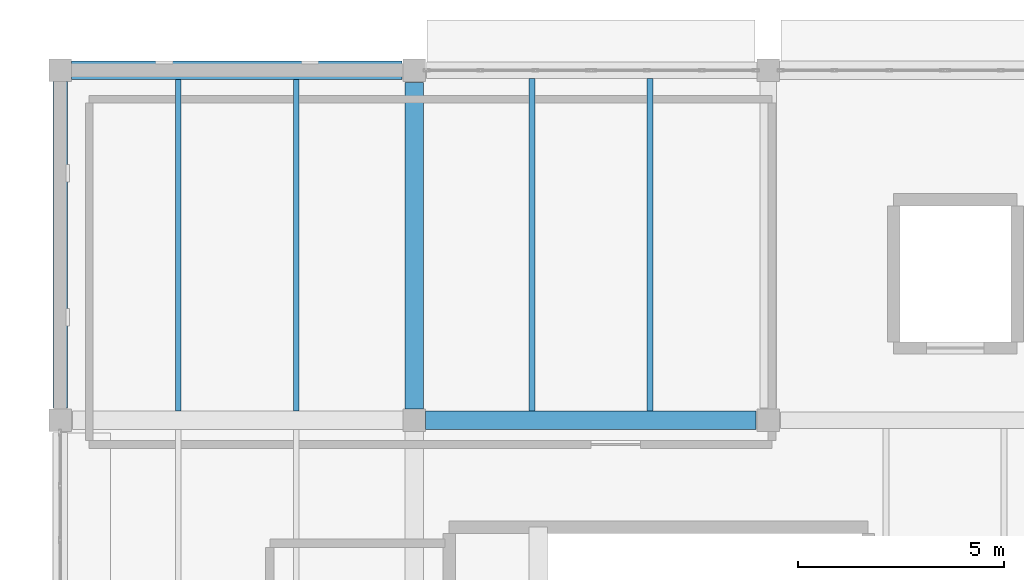
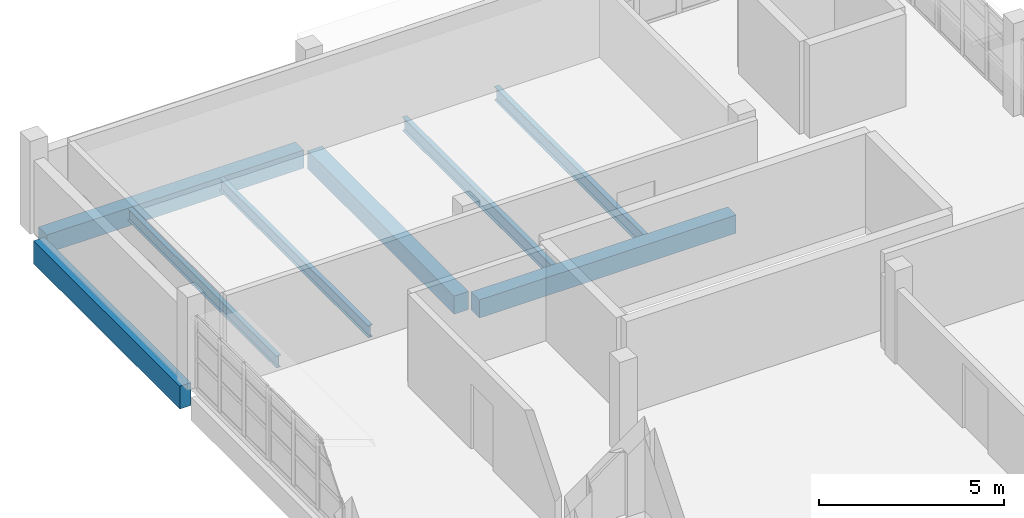
# One storey, part 13 of 34: 8 beams.
"""IFC4 building model written with IfcOpenShell, lengths in metres."""

import ifcopenshell
import ifcopenshell.guid

model = None  # the IFC model being written
_history = None  # IfcOwnerHistory: only IFC2X3 demands one
_inside = {}  # id of a spatial element -> (the spatial element, [elements in it])
_under = {}  # id of a project, library or spatial element -> (it, [spatial elements below it])
_declared = {}  # id of a project -> (the project, [libraries it declares])
_typed = {}  # id of a type object -> (the type object, [elements of that type])
_made_of = {}  # id of a material, layer set ... -> (it, [elements and type objects made of it])


def new_model(schema):
    """Start an empty IFC model of exactly this schema.

    Asked for "IFC4X3", IfcOpenShell would pick the latest addendum, in which some entities
    have other attributes; the version numbers below select the first issue.
    IFC2X3 requires an IfcOwnerHistory on every rooted entity: one is made here for all.
    """
    global model, _history
    if schema == "IFC4X3":
        model = ifcopenshell.file(schema_version=(4, 3, 0, 0))
    else:
        model = ifcopenshell.file(schema=schema)
    _inside.clear()
    _under.clear()
    _declared.clear()
    _typed.clear()
    _made_of.clear()
    _history = None
    if model.schema == "IFC2X3":
        org = make("IfcOrganization", Name="unknown")
        user = make(
            "IfcPersonAndOrganization",
            ThePerson=make("IfcPerson", FamilyName="unknown"),
            TheOrganization=org,
        )
        app = make(
            "IfcApplication",
            ApplicationDeveloper=org,
            Version="unknown",
            ApplicationFullName="unknown",
            ApplicationIdentifier="unknown",
        )
        _history = make(
            "IfcOwnerHistory",
            OwningUser=user,
            OwningApplication=app,
            ChangeAction="ADDED",
            CreationDate=0,
        )
    return model


def make(cls, **values):
    """One entity of the class cls with the attributes given. An attribute that is None is left unset."""
    return model.create_entity(
        cls, **{name: value for name, value in values.items() if value is not None}
    )


def rooted(cls, **values):
    """An entity with a GlobalId (a new one), such as an element, a storey or a relation."""
    return make(cls, GlobalId=ifcopenshell.guid.new(), OwnerHistory=_history, **values)


def si_unit(unit_type, name, prefix=None):
    """IfcSIUnit, for example si_unit("LENGTHUNIT", "METRE", prefix="MILLI")."""
    return make("IfcSIUnit", UnitType=unit_type, Prefix=prefix, Name=name)


def assignment(units):
    """IfcUnitAssignment: the units of a project."""
    return None if units is None else make("IfcUnitAssignment", Units=units)


def point(xyz):
    """IfcCartesianPoint."""
    return None if xyz is None else make("IfcCartesianPoint", Coordinates=xyz)


def direction(xyz):
    """IfcDirection."""
    return None if xyz is None else make("IfcDirection", DirectionRatios=xyz)


def frame(location, z_axis=None, x_axis=None):
    """IfcAxis2Placement3D, a coordinate frame: its origin and axes. An axis left out is left unset."""
    return make(
        "IfcAxis2Placement3D",
        Location=point(location),
        Axis=direction(z_axis),
        RefDirection=direction(x_axis),
    )


def frame_2d(location, x_axis=None):
    """IfcAxis2Placement2D, a coordinate frame in the plane: its origin and x axis."""
    return make(
        "IfcAxis2Placement2D", Location=point(location), RefDirection=direction(x_axis)
    )


def origin():
    """The frame at (0, 0, 0) with its axes left unset."""
    return frame((0.0, 0.0, 0.0))


def origin_2d():
    """The frame at (0, 0) in the plane with its x axis left unset."""
    return frame_2d((0.0, 0.0))


def place(relative_to, where):
    """IfcLocalPlacement: puts the frame where relative to a parent placement (None: the world)."""
    return make(
        "IfcLocalPlacement", PlacementRelTo=relative_to, RelativePlacement=where
    )


def context(
    kind, dimensions, precision=None, world=None, true_north=None, identifier=None
):
    """IfcGeometricRepresentationContext, for example the 3D "Model" context."""
    return make(
        "IfcGeometricRepresentationContext",
        ContextIdentifier=identifier,
        ContextType=kind,
        CoordinateSpaceDimension=dimensions,
        Precision=precision,
        WorldCoordinateSystem=world,
        TrueNorth=true_north,
    )


def subcontext(parent, identifier, kind, view, scale=None):
    """IfcGeometricRepresentationSubContext, for example "Body" below "Model"."""
    return make(
        "IfcGeometricRepresentationSubContext",
        ContextIdentifier=identifier,
        ContextType=kind,
        ParentContext=parent,
        TargetScale=scale,
        TargetView=view,
    )


def project(units=None, contexts=None):
    """IfcProject with its units and contexts."""
    return rooted(
        "IfcProject",
        Name="project",
        RepresentationContexts=contexts,
        UnitsInContext=assignment(units),
    )


def spatial(cls, under=None, at=None, **own):
    """A site, building, storey or space (cls), placed at a placement, below another one or the project."""
    s = rooted(cls, ObjectPlacement=at, **own)
    if under is not None:
        _under.setdefault(under.id(), (under, []))[1].append(s)
    return s


def profile(cls, at=None, kind="AREA", **sizes):
    """A parametric profile (cls). Its sizes go by their IFC names, for example OverallWidth=200.0."""
    return make(cls, ProfileType=kind, Position=at, **sizes)


def rectangle(**sizes):
    """IfcRectangleProfileDef."""
    return profile("IfcRectangleProfileDef", **sizes)


def i_section(**sizes):
    """IfcIShapeProfileDef."""
    return profile("IfcIShapeProfileDef", **sizes)


def extrude(swept, where, along, depth):
    """IfcExtrudedAreaSolid: the profile swept, set in the frame where, extruded along a direction by depth."""
    return make(
        "IfcExtrudedAreaSolid",
        SweptArea=swept,
        Position=where,
        ExtrudedDirection=direction(along),
        Depth=depth,
    )


def shape(context_of_items, identifier, shape_type, items):
    """IfcShapeRepresentation: the items that make up one representation, for example the "Body"."""
    return make(
        "IfcShapeRepresentation",
        ContextOfItems=context_of_items,
        RepresentationIdentifier=identifier,
        RepresentationType=shape_type,
        Items=items,
    )


def material(Name=None, Category=None):
    """IfcMaterial."""
    return make("IfcMaterial", Name=Name, Category=Category)


def material_profile(
    of_material, cross_section, Name=None, Category=None, Priority=None
):
    """IfcMaterialProfile: a cross section and its material."""
    return make(
        "IfcMaterialProfile",
        Name=Name,
        Material=of_material,
        Profile=cross_section,
        Priority=Priority,
        Category=Category,
    )


def profile_set(profiles, Name=None, composite=None):
    """IfcMaterialProfileSet."""
    return make(
        "IfcMaterialProfileSet",
        Name=Name,
        MaterialProfiles=profiles,
        CompositeProfile=composite,
    )


def made_of(thing, what):
    """Note that an element or type object is made of a material, layer set ...; save() writes the relation."""
    if what is not None:
        _made_of.setdefault(what.id(), (what, []))[1].append(thing)
    return thing


def type_object(cls, material=None, **own):
    """A type object (cls), such as IfcWallType, which elements share."""
    return made_of(rooted(cls, **own), material)


def element(
    cls,
    number,
    at=None,
    inside=None,
    cuts=None,
    type_object=None,
    material=None,
    context=None,
    identifier="Body",
    shape_type=None,
    held_by="IfcProductDefinitionShape",
    body=None,
    shapes=None,
    **own,
):
    """One element of the class cls, such as IfcWall. Its Tag is "e" and its number.

    at: its placement. inside: the storey or other place that contains it. cuts: it is an
    opening in that element (IfcRelVoidsElement). A single representation is given by context,
    identifier, shape_type and body (its items); several are given by shapes. held_by: the class
    of the entity that holds the representations. save() writes the other relations.
    """
    e = rooted(cls, Tag="e%d" % number, ObjectPlacement=at, **own)
    if body is not None:
        shapes = [shape(context, identifier, shape_type, body)]
    if shapes is not None:
        e.Representation = make(held_by, Representations=shapes)
    if inside is not None:
        _inside.setdefault(inside.id(), (inside, []))[1].append(e)
    if cuts is not None:
        rooted(
            "IfcRelVoidsElement", RelatingBuildingElement=cuts, RelatedOpeningElement=e
        )
    if type_object is not None:
        _typed.setdefault(type_object.id(), (type_object, []))[1].append(e)
    return made_of(e, material)


def aggregate(whole, parts):
    """IfcRelAggregates: a whole, such as a stair, and the parts it consists of."""
    return rooted("IfcRelAggregates", RelatingObject=whole, RelatedObjects=parts)


def save(model, path):
    """Write the relations noted so far, then the file.

    IfcRelAggregates (storeys below a building ...), IfcRelContainedInSpatialStructure (elements
    in a storey), IfcRelDefinesByType, IfcRelAssociatesMaterial and IfcRelDeclares: one each for
    every whole, place, type object, material and project.
    """
    for whole, parts in _under.values():
        aggregate(whole, parts)
    for where, things in _inside.values():
        rooted(
            "IfcRelContainedInSpatialStructure",
            RelatedElements=things,
            RelatingStructure=where,
        )
    for kind, things in _typed.values():
        rooted("IfcRelDefinesByType", RelatedObjects=things, RelatingType=kind)
    for what, things in _made_of.values():
        rooted("IfcRelAssociatesMaterial", RelatedObjects=things, RelatingMaterial=what)
    for by, libraries in _declared.values():
        rooted("IfcRelDeclares", RelatingContext=by, RelatedDefinitions=libraries)
    model.write(path)


model = new_model("IFC4")

# Units and contexts
model_context = context("Model", 3, precision=1e-05, world=origin(), true_north=direction((0.0, 1.0)))
body_context = subcontext(model_context, "Body", "Model", "MODEL_VIEW")
ifc_project = project(units=[si_unit("LENGTHUNIT", "METRE"), si_unit("AREAUNIT", "SQUARE_METRE"), si_unit("VOLUMEUNIT", "CUBIC_METRE"), si_unit("PLANEANGLEUNIT", "RADIAN"), si_unit("MASSUNIT", "GRAM", prefix="KILO")], contexts=[model_context])

# Site, building, storey
site_placement = place(None, origin())
site = spatial("IfcSite", under=ifc_project, at=site_placement, CompositionType="ELEMENT")
building_placement = place(site_placement, origin())
building = spatial("IfcBuilding", under=site, at=building_placement, Name="Varnakota Cinema and Media Centre", CompositionType="ELEMENT")
storey_placement = place(building_placement, frame((0.0, 0.0, 19.050048828125)))
storey = spatial("IfcBuildingStorey", under=building, at=storey_placement, Name="L05", CompositionType="ELEMENT", Elevation=19.050048828125)

# Beams
ifc_material_1 = material(Name="Concrete M35", Category="concrete")
ifc_material_profile_1 = material_profile(ifc_material_1, rectangle(XDim=0.449951171875, YDim=0.60009765625, at=origin_2d()), Name="RCB 450x600")
ifc_profile_set_1 = profile_set([ifc_material_profile_1], Name="Concrete M35")
beam_type_1 = type_object("IfcBeamType", Name="BM-RC-450x600", PredefinedType="BEAM", material=ifc_profile_set_1)
beam_1_placement = place(storey_placement, frame((8.875, 52.5, -0.550048828125), z_axis=(1.0, 0.0, 0.0), x_axis=(0.0, 1.0, 0.0)))
element("IfcBeam", 1, at=beam_1_placement, inside=storey, type_object=beam_type_1, Name="L05 girder B-C/7", PredefinedType="BEAM", context=body_context, shape_type="SweptSolid", body=[
    extrude(rectangle(XDim=0.449951171875, YDim=0.60009765625, at=origin_2d()), origin(), (0.0, 0.0, 1.0), 8.02490234375),
])
beam_2_placement = place(storey_placement, frame((0.27490234375, 61.0, -0.550048828125), z_axis=(1.0, 0.0, 0.0), x_axis=(0.0, 1.0, 0.0)))
element("IfcBeam", 2, at=beam_2_placement, inside=storey, type_object=beam_type_1, Name="L05 girder A-B/8", PredefinedType="BEAM", context=body_context, shape_type="SweptSolid", body=[
    extrude(rectangle(XDim=0.449951171875, YDim=0.60009765625, at=origin_2d()), origin(), (0.0, 0.0, 1.0), 8.025146484375),
])
beam_3_placement = place(storey_placement, frame((8.60009765625, 52.77490234375, -0.550048828125), z_axis=(0.0, 1.0, 0.0), x_axis=(-1.0, 0.0, 0.0)))
element("IfcBeam", 3, at=beam_3_placement, inside=storey, type_object=beam_type_1, Name="L05 girder B/7-8", PredefinedType="BEAM", context=body_context, shape_type="SweptSolid", body=[
    extrude(rectangle(XDim=0.449951171875, YDim=0.60009765625, at=origin_2d()), origin(), (0.0, 0.0, 1.0), 7.925048828125),
])
ifc_material_2 = material(Name="Concrete M40", Category="concrete")
ifc_material_profile_2 = material_profile(ifc_material_2, rectangle(XDim=0.35009765625, YDim=0.75, at=origin_2d()), Name="RCB 350x750")
ifc_profile_set_2 = profile_set([ifc_material_profile_2], Name="Concrete M40")
beam_type_2 = type_object("IfcBeamType", Name="BM-SP-350x750", PredefinedType="SPANDREL", material=ifc_profile_set_2)
beam_4_placement = place(storey_placement, frame((0.0, 52.800048828125, -0.625), z_axis=(0.0, 1.0, 0.0), x_axis=(-1.0, 0.0, 0.0)))
element("IfcBeam", 4, at=beam_4_placement, inside=storey, type_object=beam_type_2, Name="L05 girder A/7-8", PredefinedType="SPANDREL", context=body_context, shape_type="SweptSolid", body=[
    extrude(rectangle(XDim=0.35009765625, YDim=0.75, at=origin_2d()), origin(), (0.0, 0.0, 1.0), 7.925048828125),
])
ifc_material_3 = material(Name="Structural steel Grade 350 (E350)", Category="steel")
ifc_material_profile_3 = material_profile(ifc_material_3, i_section(OverallWidth=0.139892578125, OverallDepth=0.39990234375, WebThickness=0.0087890625, FlangeThickness=0.01611328125, FilletRadius=0.013916015625, at=origin_2d()), Name="ISMB 400")
ifc_profile_set_3 = profile_set([ifc_material_profile_3], Name="Structural steel Grade 350 (E350)")
beam_type_3 = type_object("IfcBeamType", Name="BM-ST-ISMB400", PredefinedType="JOIST", material=ifc_profile_set_3)
for number, where, z_axis, x_axis, name in (
    (5, (2.86669921875, 52.72509765625, -0.449951171875), (0.0, 1.0, 0.0), (-1.0, 0.0, 0.0), "L05 steel joist A-B/7-8 #1"),
    (6, (5.7333984375, 52.72509765625, -0.449951171875), (0.0, 1.0, 0.0), (-1.0, 0.0, 0.0), "L05 steel joist A-B/7-8 #2"),
):
    element("IfcBeam", number, at=place(storey_placement, frame(where, z_axis=z_axis, x_axis=x_axis)), inside=storey, type_object=beam_type_3, Name=name, PredefinedType="JOIST", context=body_context, shape_type="SweptSolid", body=[
        extrude(i_section(OverallWidth=0.139892578125, OverallDepth=0.39990234375, WebThickness=0.0087890625, FlangeThickness=0.01611328125, FilletRadius=0.013916015625, at=origin_2d()), origin(), (0.0, 0.0, 1.0), 8.0498046875),
    ])
ifc_material_4 = material(Name="Structural steel Grade 350 (E350)", Category="steel")
ifc_material_profile_4 = material_profile(ifc_material_4, i_section(OverallWidth=0.14990234375, OverallDepth=0.449951171875, WebThickness=0.009521484375, FlangeThickness=0.017333984375, FilletRadius=0.014892578125, at=origin_2d()), Name="ISMB 450")
ifc_profile_set_4 = profile_set([ifc_material_profile_4], Name="Structural steel Grade 350 (E350)")
beam_type_4 = type_object("IfcBeamType", Name="BM-ST-ISMB450", PredefinedType="BEAM", material=ifc_profile_set_4)
for number, where, z_axis, x_axis, name in (
    (7, (11.466796875, 52.72509765625, -0.47509765625), (0.0, 1.0, 0.0), (-1.0, 0.0, 0.0), "L05 steel joist B-C/7-8 #1"),
    (8, (14.333251953125, 52.72509765625, -0.47509765625), (0.0, 1.0, 0.0), (-1.0, 0.0, 0.0), "L05 steel joist B-C/7-8 #2"),
):
    element("IfcBeam", number, at=place(storey_placement, frame(where, z_axis=z_axis, x_axis=x_axis)), inside=storey, type_object=beam_type_4, Name=name, PredefinedType="BEAM", context=body_context, shape_type="SweptSolid", body=[
        extrude(i_section(OverallWidth=0.14990234375, OverallDepth=0.449951171875, WebThickness=0.009521484375, FlangeThickness=0.017333984375, FilletRadius=0.014892578125, at=origin_2d()), origin(), (0.0, 0.0, 1.0), 8.074951171875),
    ])

save(model, "model.ifc")
